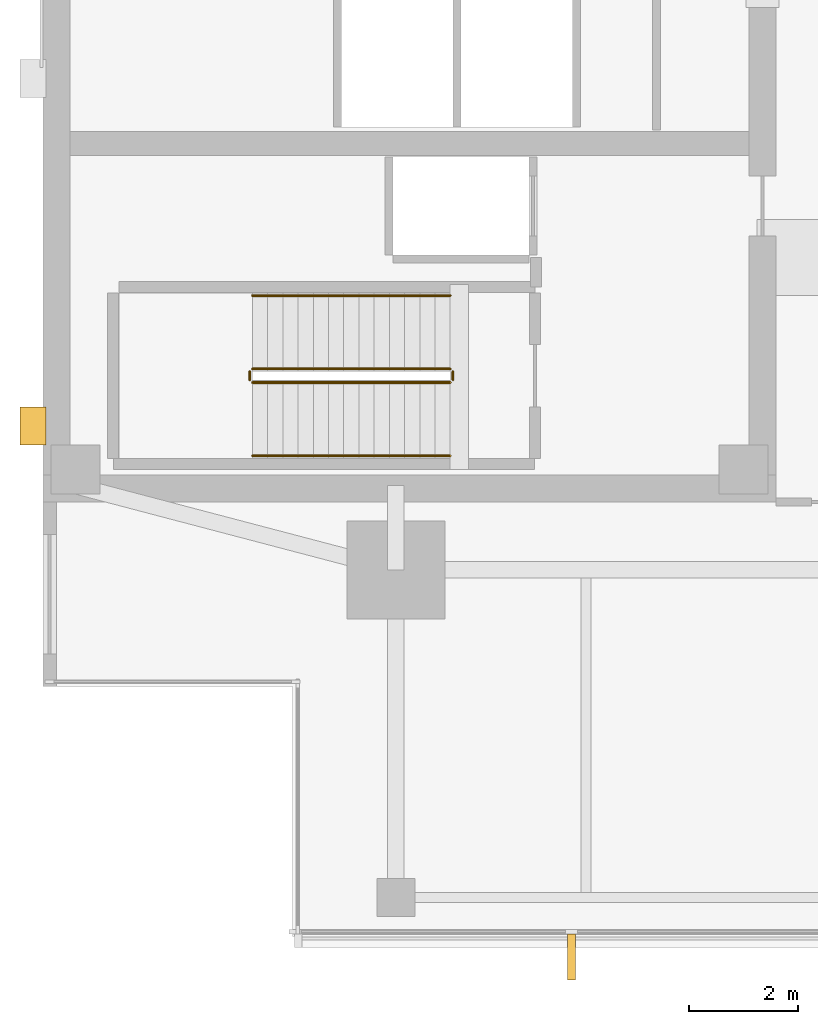
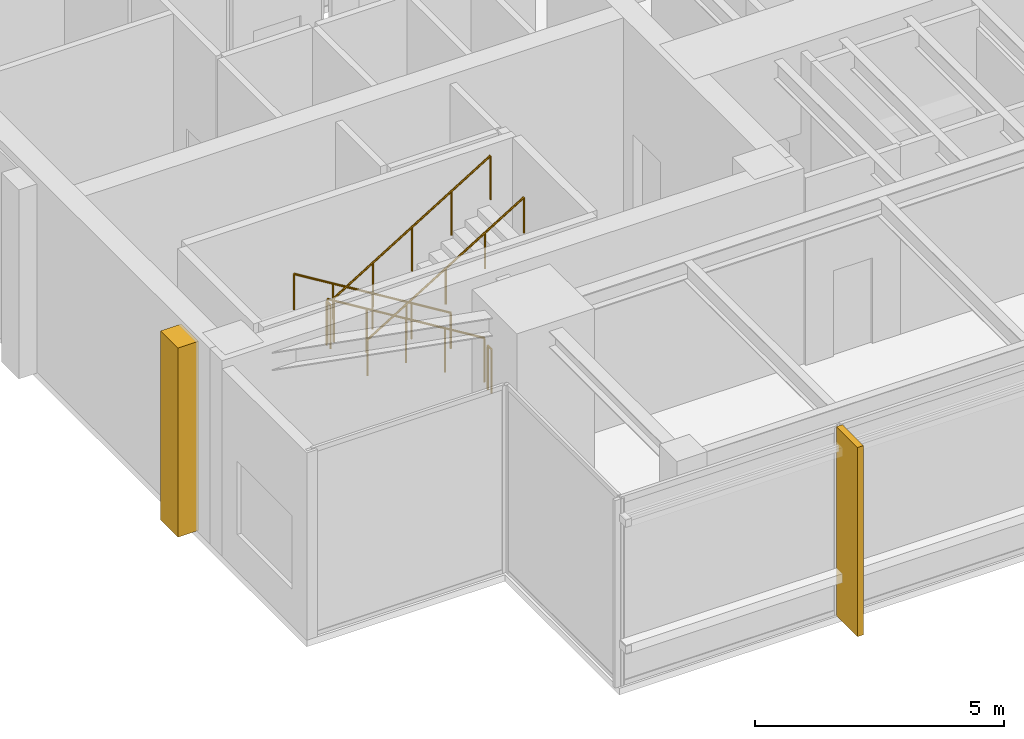
# One storey, part 11 of 14: 6 railings, 2 coverings.
"""IFC4 building model written with IfcOpenShell, lengths in metres."""

from ifc_helpers import new_model, si_unit, direction, frame, origin, origin_2d, place, context, subcontext, project, spatial, polyline, circle, outline, extrude, material, layer, layer_set, type_object, element, save


model = new_model("IFC4")

# Units and contexts
model_context = context("Model", 3, precision=1e-05, world=origin(), true_north=direction((0.0, 1.0)))
body_context = subcontext(model_context, "Body", "Model", "MODEL_VIEW")
ifc_project = project(units=[si_unit("LENGTHUNIT", "METRE"), si_unit("AREAUNIT", "SQUARE_METRE"), si_unit("VOLUMEUNIT", "CUBIC_METRE"), si_unit("PLANEANGLEUNIT", "RADIAN"), si_unit("MASSUNIT", "GRAM", prefix="KILO")], contexts=[model_context])

# Site, building, storey
site_placement = place(None, origin())
site = spatial("IfcSite", under=ifc_project, at=site_placement, CompositionType="ELEMENT")
building_placement = place(site_placement, origin())
building = spatial("IfcBuilding", under=site, at=building_placement, Name="Kinhvarn Gate Tower", CompositionType="ELEMENT")
storey_placement = place(building_placement, frame((0.0, 0.0, 291.85009765625)))
storey = spatial("IfcBuildingStorey", under=building, at=storey_placement, Name="L78", CompositionType="ELEMENT", Elevation=291.85009765625)

# Coverings
ifc_material_1 = material(Name="Fired architectural terracotta", Category="masonry")
ifc_layer_1 = layer(ifc_material_1, 0.139892578125)
ifc_layer_set_1 = layer_set([ifc_layer_1], Name="Fired architectural terracotta")
covering_type_1 = type_object("IfcCoveringType", Name="COV-FIN-850", PredefinedType="CLADDING", material=ifc_layer_set_1)
covering_1_placement = place(storey_placement, frame((0.0, 0.0, -0.02001953125)))
element("IfcCovering", 1, at=covering_1_placement, inside=storey, type_object=covering_type_1, Name="Vertical Terracotta Expressive Fin TFN-850 (L78)", PredefinedType="CLADDING", context=body_context, shape_type="SweptSolid", body=[
    extrude(outline(polyline([(14.163330078125, 6.050048828125), (14.30322265625, 6.050048828125), (14.30322265625, 5.199951171875), (14.163330078125, 5.199951171875), (14.163330078125, 6.050048828125)])), origin(), (0.0, 0.0, 1.0), 4.639892578125),
])
ifc_material_2 = material(Name="Precast white architectural concrete C40/50", Category="concrete")
ifc_layer_2 = layer(ifc_material_2, 0.47998046875)
ifc_layer_set_2 = layer_set([ifc_layer_2], Name="Precast white architectural concrete C40/50")
covering_type_2 = type_object("IfcCoveringType", Name="COV-RIB-450", PredefinedType="CLADDING", material=ifc_layer_set_2)
covering_2_placement = place(storey_placement, frame((0.0, 0.0, -0.02001953125)))
element("IfcCovering", 2, at=covering_2_placement, inside=storey, type_object=covering_type_2, Name="West Core Sculptural Concrete Relief Rib CRB-450 (L78)", PredefinedType="CLADDING", context=body_context, shape_type="SweptSolid", body=[
    extrude(outline(polyline([(4.080078125, 15.050048828125), (4.56005859375, 15.050048828125), (4.56005859375, 15.75), (4.080078125, 15.75), (4.080078125, 15.050048828125)])), origin(), (0.0, 0.0, 1.0), 4.639892578125),
])

# Railings
ifc_material_3 = material(Name="Steel S355", Category="steel")
railing_type_1 = type_object("IfcRailingType", Name="RL-ST-GRD", PredefinedType="BALUSTRADE", material=ifc_material_3)
railing_1_placement = place(storey_placement, frame((12.0, 16.449951171875, 0.17138671875)))
element("IfcRailing", 3, at=railing_1_placement, inside=storey, type_object=railing_type_1, Name="L78 ST1 stair guard 1", PredefinedType="BALUSTRADE", context=body_context, shape_type="SweptSolid", body=[
    extrude(circle(Radius=0.02392578125, at=origin_2d()), frame((0.0, 0.0, 1.076171875), z_axis=(-0.852850264322, 0.0, 0.5221555579), x_axis=(0.0, -1.0, 0.0)), (0.0, 0.0, 1.0), 4.267822265625),
    extrude(circle(Radius=0.02099609375, at=origin_2d()), origin(), (0.0, 0.0, 1.0), 1.052001953125),
    extrude(circle(Radius=0.02099609375, at=origin_2d()), frame((-0.909912109375, 0.0, 0.55712890625)), (0.0, 0.0, 1.0), 1.052001953125),
    extrude(circle(Radius=0.02099609375, at=origin_2d()), frame((-1.81982421875, 0.0, 1.1142578125)), (0.0, 0.0, 1.0), 1.052001953125),
    extrude(circle(Radius=0.02099609375, at=origin_2d()), frame((-2.72998046875, 0.0, 1.67138671875)), (0.0, 0.0, 1.0), 1.052001953125),
    extrude(circle(Radius=0.02099609375, at=origin_2d()), frame((-3.639892578125, 0.0, 2.228515625)), (0.0, 0.0, 1.0), 1.052001953125),
])
railing_2_placement = place(storey_placement, frame((8.31005859375, 16.39990234375, 2.39990234375)))
element("IfcRailing", 4, at=railing_2_placement, inside=storey, type_object=railing_type_1, Name="L78 ST1 stair guard 2", PredefinedType="BALUSTRADE", context=body_context, shape_type="SweptSolid", body=[
    extrude(circle(Radius=0.02392578125, at=origin_2d()), frame((0.0, 0.0, 1.076171875), z_axis=(0.0, -1.0, 0.0), x_axis=(1.0, 0.0, 0.0)), (0.0, 0.0, 1.0), 0.14990234375),
    extrude(circle(Radius=0.02099609375, at=origin_2d()), origin(), (0.0, 0.0, 1.0), 1.052001953125),
    extrude(circle(Radius=0.02099609375, at=origin_2d()), frame((0.0, -0.14990234375, 0.0)), (0.0, 0.0, 1.0), 1.052001953125),
])
railing_3_placement = place(storey_placement, frame((8.360107421875, 16.199951171875, 2.5712890625)))
element("IfcRailing", 5, at=railing_3_placement, inside=storey, type_object=railing_type_1, Name="L78 ST1 stair guard 3", PredefinedType="BALUSTRADE", context=body_context, shape_type="SweptSolid", body=[
    extrude(circle(Radius=0.02392578125, at=origin_2d()), frame((0.0, 0.0, 1.076171875), z_axis=(0.852850264322, 0.0, 0.5221555579), x_axis=(0.0, 1.0, 0.0)), (0.0, 0.0, 1.0), 4.267822265625),
    extrude(circle(Radius=0.02099609375, at=origin_2d()), origin(), (0.0, 0.0, 1.0), 1.052001953125),
    extrude(circle(Radius=0.02099609375, at=origin_2d()), frame((0.909912109375, 0.0, 0.55712890625)), (0.0, 0.0, 1.0), 1.052001953125),
    extrude(circle(Radius=0.02099609375, at=origin_2d()), frame((1.81982421875, 0.0, 1.1142578125)), (0.0, 0.0, 1.0), 1.052001953125),
    extrude(circle(Radius=0.02099609375, at=origin_2d()), frame((2.72998046875, 0.0, 1.67138671875)), (0.0, 0.0, 1.0), 1.052001953125),
    extrude(circle(Radius=0.02099609375, at=origin_2d()), frame((3.639892578125, 0.0, 2.228515625)), (0.0, 0.0, 1.0), 1.052001953125),
])
railing_4_placement = place(storey_placement, frame((12.050048828125, 16.39990234375, 0.0)))
element("IfcRailing", 6, at=railing_4_placement, inside=storey, type_object=railing_type_1, Name="L78 ST1 stair guard 4", PredefinedType="BALUSTRADE", context=body_context, shape_type="SweptSolid", body=[
    extrude(circle(Radius=0.02392578125, at=origin_2d()), frame((0.0, 0.0, 1.076171875), z_axis=(0.0, -1.0, 0.0), x_axis=(1.0, 0.0, 0.0)), (0.0, 0.0, 1.0), 0.14990234375),
    extrude(circle(Radius=0.02099609375, at=origin_2d()), origin(), (0.0, 0.0, 1.0), 1.052001953125),
    extrude(circle(Radius=0.02099609375, at=origin_2d()), frame((0.0, -0.14990234375, 0.0)), (0.0, 0.0, 1.0), 1.052001953125),
])
railing_type_2 = type_object("IfcRailingType", Name="RL-ST-HND", PredefinedType="HANDRAIL", material=ifc_material_3)
railing_5_placement = place(storey_placement, frame((12.0, 17.800048828125, 0.17138671875)))
element("IfcRailing", 7, at=railing_5_placement, inside=storey, type_object=railing_type_2, Name="L78 ST1 stair handrail 1", PredefinedType="HANDRAIL", context=body_context, shape_type="SweptSolid", body=[
    extrude(circle(Radius=0.02392578125, at=origin_2d()), frame((0.0, 0.0, 0.8759765625), z_axis=(-0.852850264322, 0.0, 0.5221555579), x_axis=(0.0, -1.0, 0.0)), (0.0, 0.0, 1.0), 4.267822265625),
    extrude(circle(Radius=0.02099609375, at=origin_2d()), origin(), (0.0, 0.0, 1.0), 0.851806640625),
    extrude(circle(Radius=0.02099609375, at=origin_2d()), frame((-0.909912109375, 0.0, 0.55712890625)), (0.0, 0.0, 1.0), 0.851806640625),
    extrude(circle(Radius=0.02099609375, at=origin_2d()), frame((-1.81982421875, 0.0, 1.1142578125)), (0.0, 0.0, 1.0), 0.851806640625),
    extrude(circle(Radius=0.02099609375, at=origin_2d()), frame((-2.72998046875, 0.0, 1.67138671875)), (0.0, 0.0, 1.0), 0.851806640625),
    extrude(circle(Radius=0.02099609375, at=origin_2d()), frame((-3.639892578125, 0.0, 2.228515625)), (0.0, 0.0, 1.0), 0.851806640625),
])
railing_6_placement = place(storey_placement, frame((8.360107421875, 14.85009765625, 2.5712890625)))
element("IfcRailing", 8, at=railing_6_placement, inside=storey, type_object=railing_type_2, Name="L78 ST1 stair handrail 2", PredefinedType="HANDRAIL", context=body_context, shape_type="SweptSolid", body=[
    extrude(circle(Radius=0.02392578125, at=origin_2d()), frame((0.0, 0.0, 0.8759765625), z_axis=(0.852850264322, 0.0, 0.5221555579), x_axis=(0.0, 1.0, 0.0)), (0.0, 0.0, 1.0), 4.267822265625),
    extrude(circle(Radius=0.02099609375, at=origin_2d()), origin(), (0.0, 0.0, 1.0), 0.851806640625),
    extrude(circle(Radius=0.02099609375, at=origin_2d()), frame((0.909912109375, 0.0, 0.55712890625)), (0.0, 0.0, 1.0), 0.851806640625),
    extrude(circle(Radius=0.02099609375, at=origin_2d()), frame((1.81982421875, 0.0, 1.1142578125)), (0.0, 0.0, 1.0), 0.851806640625),
    extrude(circle(Radius=0.02099609375, at=origin_2d()), frame((2.72998046875, 0.0, 1.67138671875)), (0.0, 0.0, 1.0), 0.851806640625),
    extrude(circle(Radius=0.02099609375, at=origin_2d()), frame((3.639892578125, 0.0, 2.228515625)), (0.0, 0.0, 1.0), 0.851806640625),
])

save(model, "model.ifc")
